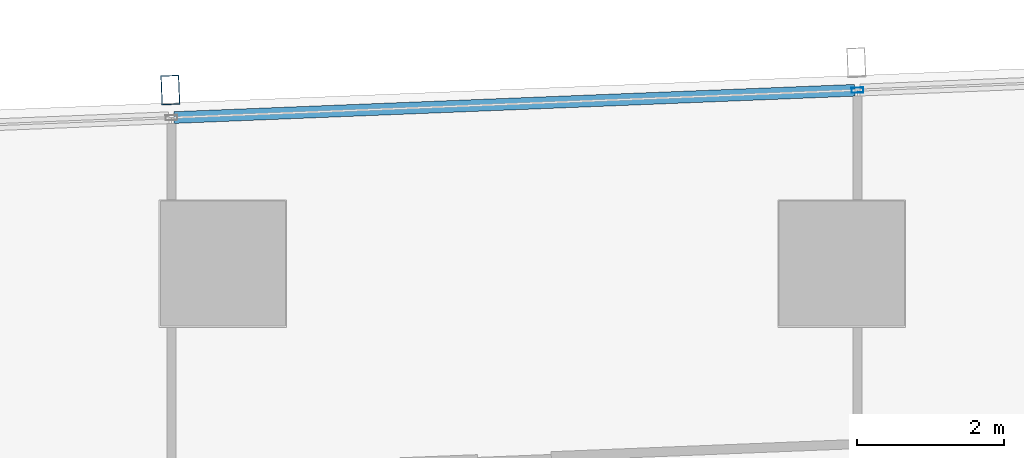
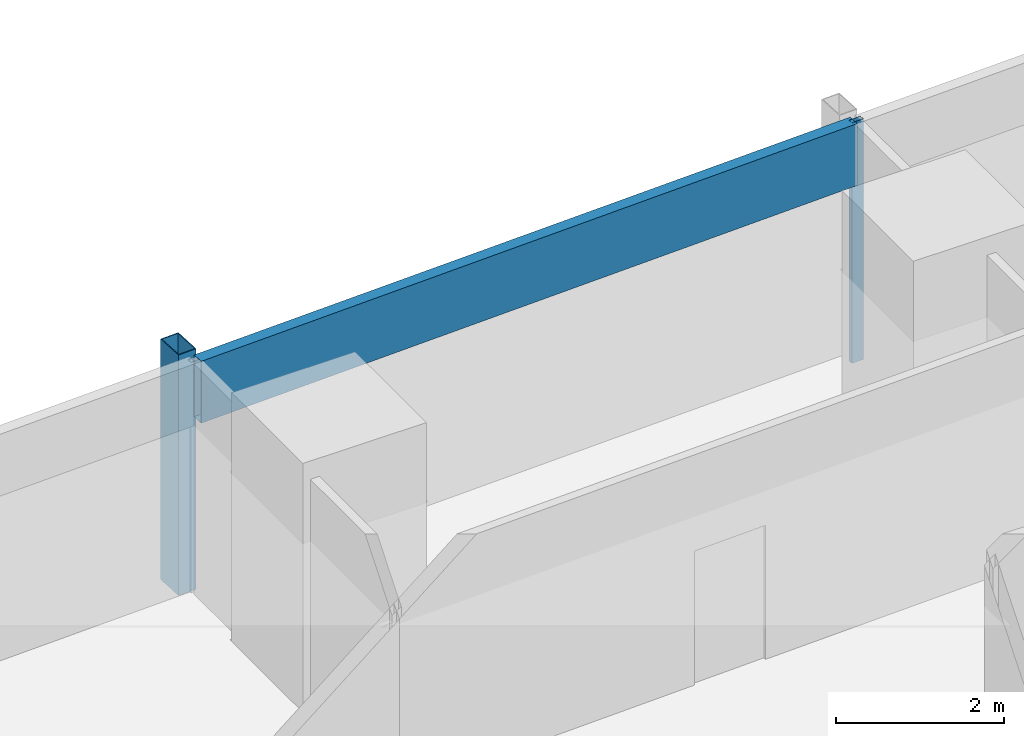
# One storey, part 16 of 40: 3 members, 1 element without a shape of its own.
"""IFC4 building model written with IfcOpenShell, lengths in metres."""

import ifcopenshell
import ifcopenshell.guid

model = None  # the IFC model being written
_history = None  # IfcOwnerHistory: only IFC2X3 demands one
_inside = {}  # id of a spatial element -> (the spatial element, [elements in it])
_under = {}  # id of a project, library or spatial element -> (it, [spatial elements below it])
_declared = {}  # id of a project -> (the project, [libraries it declares])
_typed = {}  # id of a type object -> (the type object, [elements of that type])
_made_of = {}  # id of a material, layer set ... -> (it, [elements and type objects made of it])


def new_model(schema):
    """Start an empty IFC model of exactly this schema.

    Asked for "IFC4X3", IfcOpenShell would pick the latest addendum, in which some entities
    have other attributes; the version numbers below select the first issue.
    IFC2X3 requires an IfcOwnerHistory on every rooted entity: one is made here for all.
    """
    global model, _history
    if schema == "IFC4X3":
        model = ifcopenshell.file(schema_version=(4, 3, 0, 0))
    else:
        model = ifcopenshell.file(schema=schema)
    _inside.clear()
    _under.clear()
    _declared.clear()
    _typed.clear()
    _made_of.clear()
    _history = None
    if model.schema == "IFC2X3":
        org = make("IfcOrganization", Name="unknown")
        user = make(
            "IfcPersonAndOrganization",
            ThePerson=make("IfcPerson", FamilyName="unknown"),
            TheOrganization=org,
        )
        app = make(
            "IfcApplication",
            ApplicationDeveloper=org,
            Version="unknown",
            ApplicationFullName="unknown",
            ApplicationIdentifier="unknown",
        )
        _history = make(
            "IfcOwnerHistory",
            OwningUser=user,
            OwningApplication=app,
            ChangeAction="ADDED",
            CreationDate=0,
        )
    return model


def make(cls, **values):
    """One entity of the class cls with the attributes given. An attribute that is None is left unset."""
    return model.create_entity(
        cls, **{name: value for name, value in values.items() if value is not None}
    )


def rooted(cls, **values):
    """An entity with a GlobalId (a new one), such as an element, a storey or a relation."""
    return make(cls, GlobalId=ifcopenshell.guid.new(), OwnerHistory=_history, **values)


def si_unit(unit_type, name, prefix=None):
    """IfcSIUnit, for example si_unit("LENGTHUNIT", "METRE", prefix="MILLI")."""
    return make("IfcSIUnit", UnitType=unit_type, Prefix=prefix, Name=name)


def assignment(units):
    """IfcUnitAssignment: the units of a project."""
    return None if units is None else make("IfcUnitAssignment", Units=units)


def point(xyz):
    """IfcCartesianPoint."""
    return None if xyz is None else make("IfcCartesianPoint", Coordinates=xyz)


def direction(xyz):
    """IfcDirection."""
    return None if xyz is None else make("IfcDirection", DirectionRatios=xyz)


def frame(location, z_axis=None, x_axis=None):
    """IfcAxis2Placement3D, a coordinate frame: its origin and axes. An axis left out is left unset."""
    return make(
        "IfcAxis2Placement3D",
        Location=point(location),
        Axis=direction(z_axis),
        RefDirection=direction(x_axis),
    )


def frame_2d(location, x_axis=None):
    """IfcAxis2Placement2D, a coordinate frame in the plane: its origin and x axis."""
    return make(
        "IfcAxis2Placement2D", Location=point(location), RefDirection=direction(x_axis)
    )


def origin():
    """The frame at (0, 0, 0) with its axes left unset."""
    return frame((0.0, 0.0, 0.0))


def origin_2d():
    """The frame at (0, 0) in the plane with its x axis left unset."""
    return frame_2d((0.0, 0.0))


def place(relative_to, where):
    """IfcLocalPlacement: puts the frame where relative to a parent placement (None: the world)."""
    return make(
        "IfcLocalPlacement", PlacementRelTo=relative_to, RelativePlacement=where
    )


def context(
    kind, dimensions, precision=None, world=None, true_north=None, identifier=None
):
    """IfcGeometricRepresentationContext, for example the 3D "Model" context."""
    return make(
        "IfcGeometricRepresentationContext",
        ContextIdentifier=identifier,
        ContextType=kind,
        CoordinateSpaceDimension=dimensions,
        Precision=precision,
        WorldCoordinateSystem=world,
        TrueNorth=true_north,
    )


def subcontext(parent, identifier, kind, view, scale=None):
    """IfcGeometricRepresentationSubContext, for example "Body" below "Model"."""
    return make(
        "IfcGeometricRepresentationSubContext",
        ContextIdentifier=identifier,
        ContextType=kind,
        ParentContext=parent,
        TargetScale=scale,
        TargetView=view,
    )


def project(units=None, contexts=None):
    """IfcProject with its units and contexts."""
    return rooted(
        "IfcProject",
        Name="project",
        RepresentationContexts=contexts,
        UnitsInContext=assignment(units),
    )


def spatial(cls, under=None, at=None, **own):
    """A site, building, storey or space (cls), placed at a placement, below another one or the project."""
    s = rooted(cls, ObjectPlacement=at, **own)
    if under is not None:
        _under.setdefault(under.id(), (under, []))[1].append(s)
    return s


def profile(cls, at=None, kind="AREA", **sizes):
    """A parametric profile (cls). Its sizes go by their IFC names, for example OverallWidth=200.0."""
    return make(cls, ProfileType=kind, Position=at, **sizes)


def hollow_rectangle(**sizes):
    """IfcRectangleHollowProfileDef."""
    return profile("IfcRectangleHollowProfileDef", **sizes)


def extrude(swept, where, along, depth):
    """IfcExtrudedAreaSolid: the profile swept, set in the frame where, extruded along a direction by depth."""
    return make(
        "IfcExtrudedAreaSolid",
        SweptArea=swept,
        Position=where,
        ExtrudedDirection=direction(along),
        Depth=depth,
    )


def shape(context_of_items, identifier, shape_type, items):
    """IfcShapeRepresentation: the items that make up one representation, for example the "Body"."""
    return make(
        "IfcShapeRepresentation",
        ContextOfItems=context_of_items,
        RepresentationIdentifier=identifier,
        RepresentationType=shape_type,
        Items=items,
    )


def material(Name=None, Category=None):
    """IfcMaterial."""
    return make("IfcMaterial", Name=Name, Category=Category)


def material_profile(
    of_material, cross_section, Name=None, Category=None, Priority=None
):
    """IfcMaterialProfile: a cross section and its material."""
    return make(
        "IfcMaterialProfile",
        Name=Name,
        Material=of_material,
        Profile=cross_section,
        Priority=Priority,
        Category=Category,
    )


def profile_set(profiles, Name=None, composite=None):
    """IfcMaterialProfileSet."""
    return make(
        "IfcMaterialProfileSet",
        Name=Name,
        MaterialProfiles=profiles,
        CompositeProfile=composite,
    )


def made_of(thing, what):
    """Note that an element or type object is made of a material, layer set ...; save() writes the relation."""
    if what is not None:
        _made_of.setdefault(what.id(), (what, []))[1].append(thing)
    return thing


def type_object(cls, material=None, **own):
    """A type object (cls), such as IfcWallType, which elements share."""
    return made_of(rooted(cls, **own), material)


def element(
    cls,
    number,
    at=None,
    inside=None,
    cuts=None,
    type_object=None,
    material=None,
    context=None,
    identifier="Body",
    shape_type=None,
    held_by="IfcProductDefinitionShape",
    body=None,
    shapes=None,
    **own,
):
    """One element of the class cls, such as IfcWall. Its Tag is "e" and its number.

    at: its placement. inside: the storey or other place that contains it. cuts: it is an
    opening in that element (IfcRelVoidsElement). A single representation is given by context,
    identifier, shape_type and body (its items); several are given by shapes. held_by: the class
    of the entity that holds the representations. save() writes the other relations.
    """
    e = rooted(cls, Tag="e%d" % number, ObjectPlacement=at, **own)
    if body is not None:
        shapes = [shape(context, identifier, shape_type, body)]
    if shapes is not None:
        e.Representation = make(held_by, Representations=shapes)
    if inside is not None:
        _inside.setdefault(inside.id(), (inside, []))[1].append(e)
    if cuts is not None:
        rooted(
            "IfcRelVoidsElement", RelatingBuildingElement=cuts, RelatedOpeningElement=e
        )
    if type_object is not None:
        _typed.setdefault(type_object.id(), (type_object, []))[1].append(e)
    return made_of(e, material)


def aggregate(whole, parts):
    """IfcRelAggregates: a whole, such as a stair, and the parts it consists of."""
    return rooted("IfcRelAggregates", RelatingObject=whole, RelatedObjects=parts)


def save(model, path):
    """Write the relations noted so far, then the file.

    IfcRelAggregates (storeys below a building ...), IfcRelContainedInSpatialStructure (elements
    in a storey), IfcRelDefinesByType, IfcRelAssociatesMaterial and IfcRelDeclares: one each for
    every whole, place, type object, material and project.
    """
    for whole, parts in _under.values():
        aggregate(whole, parts)
    for where, things in _inside.values():
        rooted(
            "IfcRelContainedInSpatialStructure",
            RelatedElements=things,
            RelatingStructure=where,
        )
    for kind, things in _typed.values():
        rooted("IfcRelDefinesByType", RelatedObjects=things, RelatingType=kind)
    for what, things in _made_of.values():
        rooted("IfcRelAssociatesMaterial", RelatedObjects=things, RelatingMaterial=what)
    for by, libraries in _declared.values():
        rooted("IfcRelDeclares", RelatingContext=by, RelatedDefinitions=libraries)
    model.write(path)


model = new_model("IFC4")

# Units and contexts
model_context = context("Model", 3, precision=1e-05, world=origin(), true_north=direction((0.0, 1.0)))
body_context = subcontext(model_context, "Body", "Model", "MODEL_VIEW")
ifc_project = project(units=[si_unit("LENGTHUNIT", "METRE"), si_unit("AREAUNIT", "SQUARE_METRE"), si_unit("VOLUMEUNIT", "CUBIC_METRE"), si_unit("PLANEANGLEUNIT", "RADIAN"), si_unit("MASSUNIT", "GRAM", prefix="KILO")], contexts=[model_context])

# Site, building, storey
site_placement = place(None, origin())
site = spatial("IfcSite", under=ifc_project, at=site_placement, CompositionType="ELEMENT")
building_placement = place(site_placement, origin())
building = spatial("IfcBuilding", under=site, at=building_placement, Name="Rekha Terrace Tower", CompositionType="ELEMENT")
storey_placement = place(building_placement, frame((0.0, 0.0, 117.800048828125)))
storey = spatial("IfcBuildingStorey", under=building, at=storey_placement, Name="L29", CompositionType="ELEMENT", Elevation=117.800048828125)

# Curtain wall, members
ifc_material_1 = material(Name="Aluminium framing", Category="aluminium")
curtain_wall_type = type_object("IfcCurtainWallType", Name="CW3 north unitised glazing", PredefinedType="USERDEFINED", material=ifc_material_1)
curtain_wall_placement = place(storey_placement, origin())
curtain_wall = element("IfcCurtainWall", 1, at=curtain_wall_placement, inside=storey, type_object=curtain_wall_type, Name="CW3 unitised curtain wall", ObjectType="UNITISED CURTAIN WALL", PredefinedType="USERDEFINED")
ifc_material_2 = material(Name="Steel S355 with fluorocarbon finish", Category="steel")
ifc_material_profile_1 = material_profile(ifc_material_2, hollow_rectangle(XDim=0.25, YDim=0.39990234375, WallThickness=0.012451171875, at=origin_2d()), Name="RHS400x250x12.5")
ifc_profile_set_1 = profile_set([ifc_material_profile_1], Name="Steel S355 with fluorocarbon finish")
member_type_1 = type_object("IfcMemberType", Name="BL1 facade blade RHS 400 x 250", PredefinedType="USERDEFINED", material=ifc_profile_set_1)
member_1_placement = place(storey_placement, frame((16.0869140625, 61.1552734375, 0.0), z_axis=(0.0, 0.0, 1.0), x_axis=(-0.999198382632, -0.040032388711, 0.0)))
member_1 = element("IfcMember", 2, at=member_1_placement, type_object=member_type_1, Name="Facade blade", ObjectType="FACADE BLADE", PredefinedType="USERDEFINED", context=body_context, shape_type="SweptSolid", body=[
    extrude(hollow_rectangle(XDim=0.25, YDim=0.39990234375, WallThickness=0.012451171875, at=origin_2d()), origin(), (0.0, 0.0, 1.0), 3.5),
])
ifc_material_3 = material(Name="Aluminium mullion section", Category="aluminium")
ifc_material_profile_2 = material_profile(ifc_material_3, hollow_rectangle(XDim=0.070068359375, YDim=0.159912109375, WallThickness=0.00390625, at=origin_2d()), Name="AL RHS 70x160")
ifc_profile_set_2 = profile_set([ifc_material_profile_2], Name="Aluminium mullion section")
member_type_2 = type_object("IfcMemberType", Name="CW3 mullion RHS 70 x 160", PredefinedType="MULLION", material=ifc_profile_set_2)
member_2_placement = place(storey_placement, frame((25.413818359375, 61.153564453125, 0.0), z_axis=(0.0, 0.0, 1.0), x_axis=(0.040031987119, -0.999198398721, 0.0)))
member_2 = element("IfcMember", 3, at=member_2_placement, type_object=member_type_2, Name="CW3 mullion 3", PredefinedType="MULLION", context=body_context, shape_type="SweptSolid", body=[
    extrude(hollow_rectangle(XDim=0.070068359375, YDim=0.159912109375, WallThickness=0.00390625, at=origin_2d()), origin(), (0.0, 0.0, 1.0), 3.5),
])
ifc_material_4 = material(Name="Insulated aluminium spandrel box", Category="aluminium")
ifc_material_profile_3 = material_profile(ifc_material_4, hollow_rectangle(XDim=0.159912109375, YDim=0.89990234375, WallThickness=0.0029296875, at=origin_2d()), Name="AL SPANDREL BOX 160x900")
ifc_profile_set_3 = profile_set([ifc_material_profile_3], Name="Insulated aluminium spandrel box")
member_type_3 = type_object("IfcMemberType", Name="CW3 spandrel transom 160 x 900", PredefinedType="USERDEFINED", material=ifc_profile_set_3)
member_3_placement = place(storey_placement, frame((25.37890625, 61.152099609375, 3.050048828125), z_axis=(-0.999199102424, -0.040014418831, 0.0), x_axis=(0.040014418831, -0.999199102424, 0.0)))
member_3 = element("IfcMember", 4, at=member_3_placement, type_object=member_type_3, Name="CW3 spandrel transom 3", ObjectType="TRANSOM", PredefinedType="USERDEFINED", context=body_context, shape_type="SweptSolid", body=[
    extrude(hollow_rectangle(XDim=0.159912109375, YDim=0.89990234375, WallThickness=0.0029296875, at=origin_2d()), origin(), (0.0, 0.0, 1.0), 9.24951171875),
])
aggregate(curtain_wall, [member_2, member_3, member_1])

save(model, "model.ifc")
